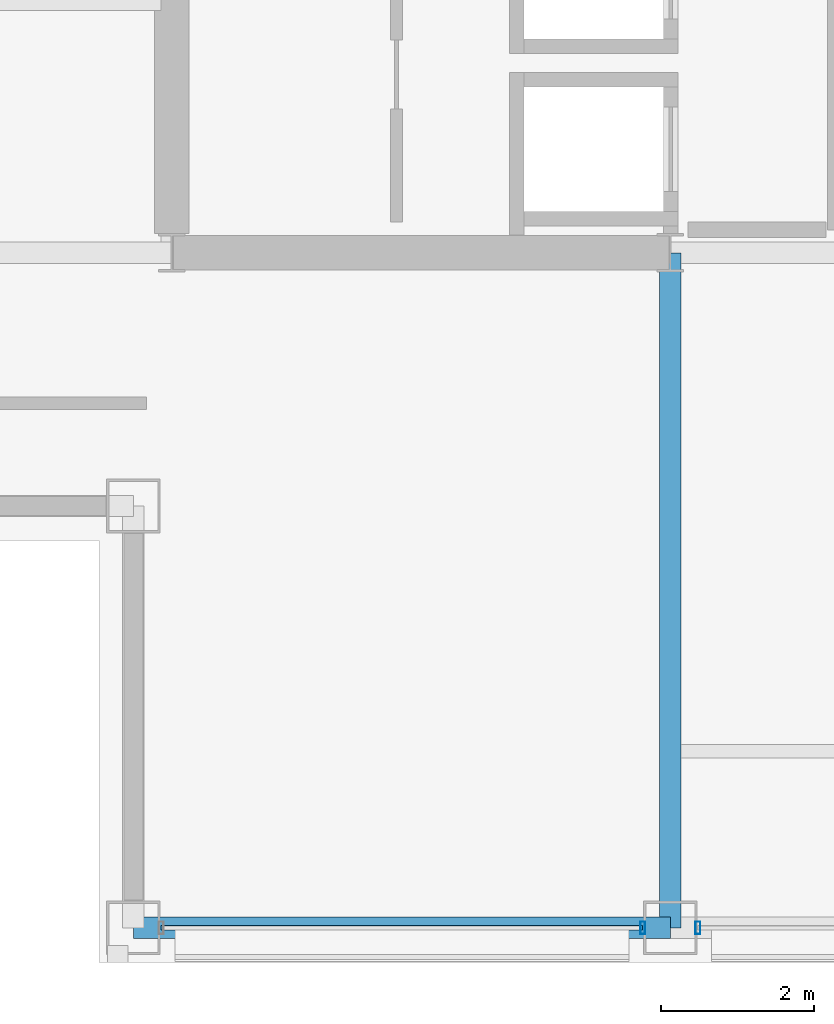
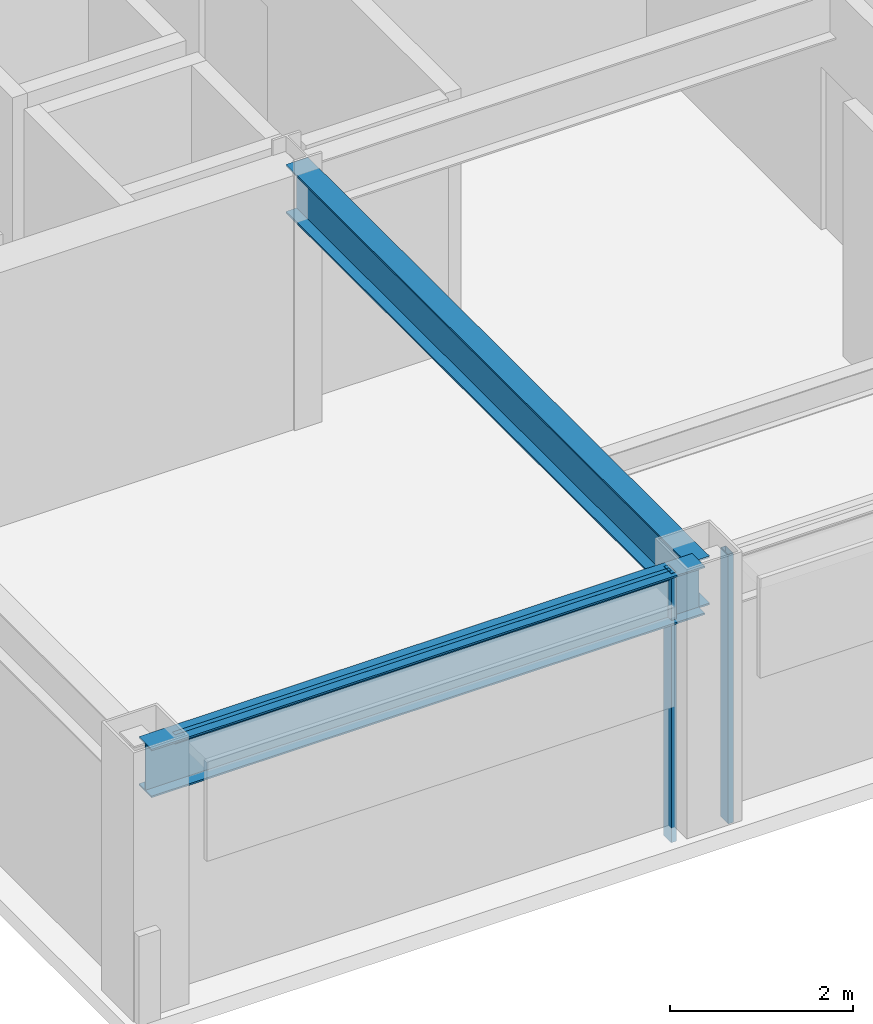
# One storey, part 3 of 30: 3 members, 2 beams, 2 elements without a shape of their own.
"""IFC4 building model written with IfcOpenShell, lengths in metres."""

from ifc_helpers import new_model, si_unit, direction, frame, origin, origin_2d, place, context, subcontext, project, spatial, hollow_rectangle, i_section, extrude, material, layer, layer_set, material_profile, profile_set, type_object, element, aggregate, save


model = new_model("IFC4")

# Units and contexts
model_context = context("Model", 3, precision=1e-05, world=origin(), true_north=direction((0.0, 1.0)))
body_context = subcontext(model_context, "Body", "Model", "MODEL_VIEW")
ifc_project = project(units=[si_unit("LENGTHUNIT", "METRE"), si_unit("AREAUNIT", "SQUARE_METRE"), si_unit("VOLUMEUNIT", "CUBIC_METRE"), si_unit("PLANEANGLEUNIT", "RADIAN"), si_unit("MASSUNIT", "GRAM", prefix="KILO")], contexts=[model_context])

# Site, building, storey
site_placement = place(None, origin())
site = spatial("IfcSite", under=ifc_project, at=site_placement, CompositionType="ELEMENT")
building_placement = place(site_placement, origin())
building = spatial("IfcBuilding", under=site, at=building_placement, Name="Brelmoor Portico Tower", CompositionType="ELEMENT")
storey_placement = place(building_placement, frame((0.0, 0.0, 198.300048828125)))
storey = spatial("IfcBuildingStorey", under=building, at=storey_placement, Name="L52", CompositionType="ELEMENT", Elevation=198.300048828125)

# Beams
ifc_material_1 = material(Name="Steel Q355B", Category="steel")
ifc_material_profile_1 = material_profile(ifc_material_1, i_section(OverallWidth=0.280029296875, OverallDepth=0.64990234375, WebThickness=0.012939453125, FlangeThickness=0.02197265625, at=origin_2d()), Name="HN 650x280x13x22")
ifc_profile_set_1 = profile_set([ifc_material_profile_1], Name="Steel Q355B")
beam_type_1 = type_object("IfcBeamType", Name="BM-PG-650", PredefinedType="BEAM", material=ifc_profile_set_1)
beam_1_placement = place(storey_placement, frame((-8.050048828125, -18.550048828125, 3.074951171875), z_axis=(0.0, 1.0, 0.0), x_axis=(-1.0, 0.0, 0.0)))
element("IfcBeam", 1, at=beam_1_placement, inside=storey, type_object=beam_type_1, Name="L52 Primary Floor Girder PG-03", PredefinedType="BEAM", context=body_context, shape_type="SweptSolid", body=[
    extrude(i_section(OverallWidth=0.280029296875, OverallDepth=0.64990234375, WebThickness=0.012939453125, FlangeThickness=0.02197265625, at=origin_2d()), origin(), (0.0, 0.0, 1.0), 8.800048828125),
])
ifc_material_profile_2 = material_profile(ifc_material_1, i_section(OverallWidth=0.280029296875, OverallDepth=0.64990234375, WebThickness=0.012939453125, FlangeThickness=0.02197265625, at=origin_2d()), Name="HN 650x280x13x22")
ifc_profile_set_2 = profile_set([ifc_material_profile_2], Name="Steel Q355B")
beam_type_2 = type_object("IfcBeamType", Name="BM-SP-650", PredefinedType="SPANDREL", material=ifc_profile_set_2)
beam_2_placement = place(storey_placement, frame((-15.050048828125, -18.550048828125, 3.074951171875), z_axis=(1.0, 0.0, 0.0), x_axis=(0.0, 1.0, 0.0)))
element("IfcBeam", 2, at=beam_2_placement, inside=storey, type_object=beam_type_2, Name="L52 Perimeter Spandrel Beam SP-01", PredefinedType="SPANDREL", context=body_context, shape_type="SweptSolid", body=[
    extrude(i_section(OverallWidth=0.280029296875, OverallDepth=0.64990234375, WebThickness=0.012939453125, FlangeThickness=0.02197265625, at=origin_2d()), origin(), (0.0, 0.0, 1.0), 7.0),
])

# Curtain wall, member
ifc_material_2 = material(Name="Anodised Aluminium Alloy 6063-T6", Category="aluminium")
ifc_layer = layer(ifc_material_2, 0.179931640625)
ifc_layer_set = layer_set([ifc_layer], Name="Anodised Aluminium Alloy 6063-T6")
curtain_wall_type = type_object("IfcCurtainWallType", Name="CW-TOWER-Z3-XB", PredefinedType="NOTDEFINED", material=ifc_layer_set)
curtain_wall_1_placement = place(storey_placement, origin())
curtain_wall_1 = element("IfcCurtainWall", 3, at=curtain_wall_1_placement, inside=storey, type_object=curtain_wall_type, Name="L52 Curtain Wall CW-L52-01-1", PredefinedType="NOTDEFINED")
ifc_material_profile_3 = material_profile(ifc_material_2, hollow_rectangle(XDim=0.06494140625, YDim=0.1650390625, WallThickness=0.00390625, at=origin_2d()), Name="ALU MULLION 65x165")
ifc_profile_set_3 = profile_set([ifc_material_profile_3], Name="Anodised Aluminium Alloy 6063-T6")
member_type_1 = type_object("IfcMemberType", Name="MB-CW-MULL-165", PredefinedType="MULLION", material=ifc_profile_set_3)
member_1_placement = place(storey_placement, frame((-8.409912109375, -18.550048828125, -0.199951171875), z_axis=(0.0, 0.0, 1.0), x_axis=(1.0, 0.0, 0.0)))
member_1 = element("IfcMember", 4, at=member_1_placement, type_object=member_type_1, Name="CW-L52-01-1 Mullion 01", PredefinedType="MULLION", context=body_context, shape_type="SweptSolid", body=[
    extrude(hollow_rectangle(XDim=0.06494140625, YDim=0.1650390625, WallThickness=0.00390625, at=origin_2d()), origin(), (0.0, 0.0, 1.0), 3.599853515625),
])

curtain_wall_2_placement = place(storey_placement, origin())
curtain_wall_2 = element("IfcCurtainWall", 5, at=curtain_wall_2_placement, inside=storey, type_object=curtain_wall_type, Name="L52 Curtain Wall CW-L52-01-2", PredefinedType="NOTDEFINED")
member_2_placement = place(storey_placement, frame((-7.68994140625, -18.550048828125, -0.199951171875), z_axis=(0.0, 0.0, 1.0), x_axis=(1.0, 0.0, 0.0)))
member_2 = element("IfcMember", 6, at=member_2_placement, type_object=member_type_1, Name="CW-L52-01-2 Mullion 00", PredefinedType="MULLION", context=body_context, shape_type="SweptSolid", body=[
    extrude(hollow_rectangle(XDim=0.06494140625, YDim=0.1650390625, WallThickness=0.00390625, at=origin_2d()), origin(), (0.0, 0.0, 1.0), 3.599853515625),
])
aggregate(curtain_wall_2, [member_2])

# Member
ifc_material_profile_4 = material_profile(ifc_material_2, hollow_rectangle(XDim=0.06005859375, YDim=0.125, WallThickness=0.00341796875, at=origin_2d()), Name="ALU TRANSOM 60x125")
ifc_profile_set_4 = profile_set([ifc_material_profile_4], Name="Anodised Aluminium Alloy 6063-T6")
member_type_2 = type_object("IfcMemberType", Name="MB-CW-TRAN-125", PredefinedType="USERDEFINED", material=ifc_profile_set_4)
member_3_placement = place(storey_placement, frame((-14.68994140625, -18.550048828125, 3.33740234375), z_axis=(1.0, 0.0, 0.0), x_axis=(0.0, 1.0, 0.0)))
member_3 = element("IfcMember", 7, at=member_3_placement, type_object=member_type_2, Name="CW-L52-01-1 Transom 1-00", ObjectType="TRANSOM", PredefinedType="USERDEFINED", context=body_context, shape_type="SweptSolid", body=[
    extrude(hollow_rectangle(XDim=0.06005859375, YDim=0.125, WallThickness=0.00341796875, at=origin_2d()), origin(), (0.0, 0.0, 1.0), 6.280029296875),
])

aggregate(curtain_wall_1, [member_1, member_3])

save(model, "model.ifc")
